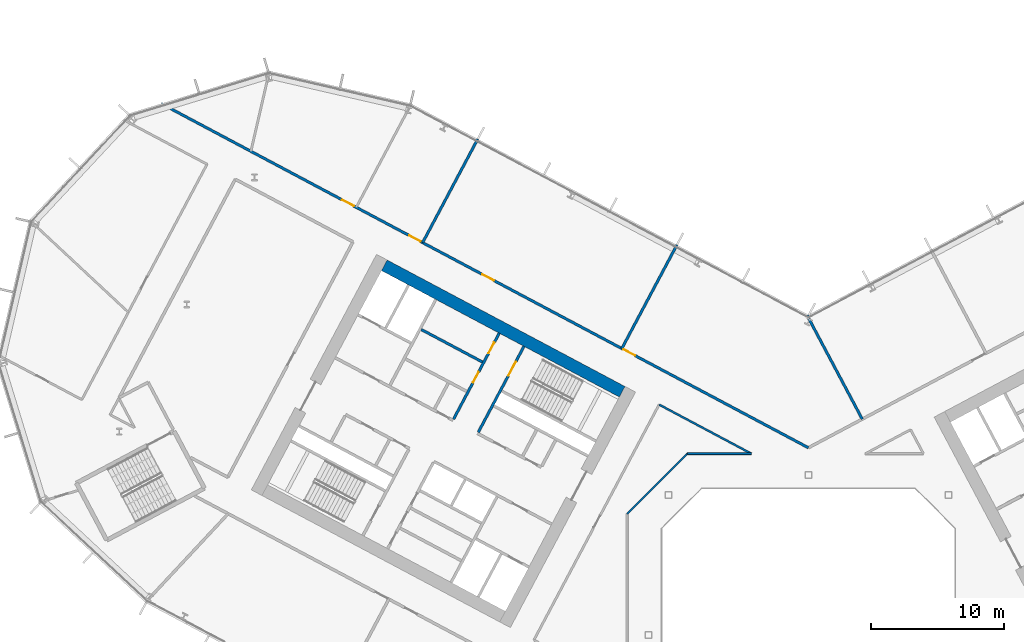
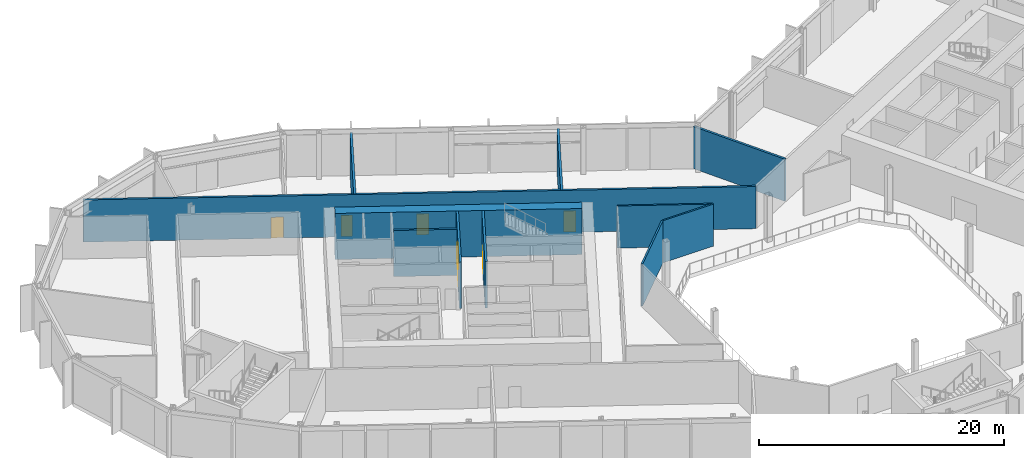
# One storey, part 16 of 32: 11 walls, 7 doors, 7 openings.
"""IFC4 building model written with IfcOpenShell, lengths in metres."""

from ifc_helpers import new_model, si_unit, direction, frame, frame_2d, origin, place, context, subcontext, project, spatial, rectangle, extrude, material, layer, layer_set, type_object, element, fill, save


model = new_model("IFC4")

# Units and contexts
model_context = context("Model", 3, precision=1e-05, world=origin(), true_north=direction((0.0, 1.0)))
body_context = subcontext(model_context, "Body", "Model", "MODEL_VIEW")
ifc_project = project(units=[si_unit("LENGTHUNIT", "METRE"), si_unit("AREAUNIT", "SQUARE_METRE"), si_unit("VOLUMEUNIT", "CUBIC_METRE"), si_unit("PLANEANGLEUNIT", "RADIAN"), si_unit("MASSUNIT", "GRAM", prefix="KILO")], contexts=[model_context])

# Site, building, storey
site_placement = place(None, origin())
site = spatial("IfcSite", under=ifc_project, at=site_placement, CompositionType="ELEMENT")
building_placement = place(site_placement, origin())
building = spatial("IfcBuilding", under=site, at=building_placement, Name="Cormorant Relay Tower", CompositionType="ELEMENT")
storey_placement = place(building_placement, frame((0.0, 0.0, 66.199951171875)))
storey = spatial("IfcBuildingStorey", under=building, at=storey_placement, Name="L12", CompositionType="ELEMENT", Elevation=66.199951171875)

# Wall
ifc_material_1 = material(Name="Concrete 40 MPa", Category="concrete")
ifc_layer_1 = layer(ifc_material_1, 0.199951171875)
ifc_layer_set_1 = layer_set([ifc_layer_1], Name="Core internal wall 200")
wall_type_1 = type_object("IfcWallType", Name="Core internal wall 200", PredefinedType="SOLIDWALL", material=ifc_layer_set_1)
wall_1_placement = place(storey_placement, frame((-24.449462890625, 20.474853515625, 0.0), z_axis=(0.0, 0.0, 1.0), x_axis=(-0.882934506056, 0.469496174655, 0.0)))
element("IfcWall", 1, at=wall_1_placement, inside=storey, type_object=wall_type_1, Name="L12 core A shaft and room wall", PredefinedType="SOLIDWALL", context=body_context, shape_type="SweptSolid", body=[
    extrude(rectangle(XDim=5.199951171875, YDim=0.199951171875, at=frame_2d((2.60009765625, 0.0))), origin(), (0.0, 0.0, 1.0), 4.60009765625),
])

# Wall, opening, door
ifc_material_2 = material(Name="Concrete 50 MPa", Category="concrete")
ifc_layer_2 = layer(ifc_material_2, 0.199951171875)
ifc_layer_set_2 = layer_set([ifc_layer_2], Name="Core shaft wall 200")
wall_type_2 = type_object("IfcWallType", Name="Core shaft wall 200", PredefinedType="SHEAR", material=ifc_layer_set_2)
wall_2_placement = place(storey_placement, frame((-21.333251953125, 21.6494140625, 0.0), z_axis=(0.0, 0.0, 1.0), x_axis=(-0.469494272526, -0.882935517501, 0.0)))
wall_2 = element("IfcWall", 2, at=wall_2_placement, inside=storey, type_object=wall_type_2, Name="L12 core A shaft wall", PredefinedType="SHEAR", context=body_context, shape_type="SweptSolid", body=[
    extrude(rectangle(XDim=7.2998046875, YDim=0.199951171875, at=frame_2d((3.64990234375, 0.0))), origin(), (0.0, 0.0, 1.0), 4.60009765625),
])
opening_1_placement = place(wall_2_placement, frame((1.300048828125, 0.0, 0.0)))
opening_1 = element("IfcOpeningElement", 3, at=opening_1_placement, cuts=wall_2, Name="Opening CDB-024", PredefinedType="OPENING", context=body_context, shape_type="SweptSolid", body=[
    extrude(rectangle(XDim=1.199951171875, YDim=2.10009765625, at=frame_2d((0.60009765625, 1.050048828125))), frame((0.0, 0.10986328125, 0.0), z_axis=(0.0, -1.0, 0.0), x_axis=(1.0, 0.0, 0.0)), (0.0, 0.0, 1.0), 0.219970703125),
])
ifc_material_3 = material(Name="Steel fire door", Category="steel")
door_type_1 = type_object("IfcDoorType", Name="Core stair door 1200x2100", OperationType="SINGLE_SWING_LEFT", PredefinedType="DOOR", material=ifc_material_3)
door_1_placement = place(opening_1_placement, origin())
door_1 = element("IfcDoor", 4, at=door_1_placement, inside=storey, type_object=door_type_1, Name="Core stair door 1200x2100", OperationType="SINGLE_SWING_RIGHT", OverallHeight=2.10009765625, OverallWidth=1.199951171875, PredefinedType="DOOR", context=body_context, shape_type="SweptSolid", body=[
    extrude(rectangle(XDim=1.199951171875, YDim=2.10009765625, at=frame_2d((0.60009765625, 1.050048828125))), frame((0.0, 0.02490234375, 0.0), z_axis=(0.0, -1.0, 0.0), x_axis=(1.0, 0.0, 0.0)), (0.0, 0.0, 1.0), 0.050048828125),
])
fill(opening_1, door_1)

# Wall, openings, doors
wall_3_placement = place(storey_placement, frame((-23.1875, 22.635498046875, 0.0), z_axis=(0.0, 0.0, 1.0), x_axis=(-0.469454336211, -0.882956752176, 0.0)))
wall_3 = element("IfcWall", 5, at=wall_3_placement, inside=storey, type_object=wall_type_2, Name="L12 core A shaft wall", PredefinedType="SHEAR", context=body_context, shape_type="SweptSolid", body=[
    extrude(rectangle(XDim=7.300048828125, YDim=0.199951171875, at=frame_2d((3.64990234375, 0.0))), origin(), (0.0, 0.0, 1.0), 4.60009765625),
])
opening_2_placement = place(wall_3_placement, frame((0.800048828125, 0.0, 0.0)))
opening_2 = element("IfcOpeningElement", 6, at=opening_2_placement, cuts=wall_3, Name="Opening CDD-117", PredefinedType="OPENING", context=body_context, shape_type="SweptSolid", body=[
    extrude(rectangle(XDim=0.89990234375, YDim=2.10009765625, at=frame_2d((0.449951171875, 1.050048828125))), frame((0.0, 0.10986328125, 0.0), z_axis=(0.0, -1.0, 0.0), x_axis=(1.0, 0.0, 0.0)), (0.0, 0.0, 1.0), 0.219970703125),
])
opening_3_placement = place(wall_3_placement, frame((3.300048828125, 0.0, 0.0)))
opening_3 = element("IfcOpeningElement", 7, at=opening_3_placement, cuts=wall_3, Name="Opening CDD-118", PredefinedType="OPENING", context=body_context, shape_type="SweptSolid", body=[
    extrude(rectangle(XDim=0.89990234375, YDim=2.10009765625, at=frame_2d((0.449951171875, 1.050048828125))), frame((0.0, 0.10986328125, 0.0), z_axis=(0.0, -1.0, 0.0), x_axis=(1.0, 0.0, 0.0)), (0.0, 0.0, 1.0), 0.219970703125),
])
ifc_material_4 = material(Name="Steel fire door", Category="steel")
door_type_2 = type_object("IfcDoorType", Name="Core room door 900x2100", OperationType="SINGLE_SWING_LEFT", PredefinedType="DOOR", material=ifc_material_4)
door_2_placement = place(opening_2_placement, origin())
door_2 = element("IfcDoor", 8, at=door_2_placement, inside=storey, type_object=door_type_2, Name="Core room door 900x2100", OperationType="SINGLE_SWING_LEFT", OverallHeight=2.10009765625, OverallWidth=0.89990234375, PredefinedType="DOOR", context=body_context, shape_type="SweptSolid", body=[
    extrude(rectangle(XDim=0.89990234375, YDim=2.10009765625, at=frame_2d((0.449951171875, 1.050048828125))), frame((0.0, 0.02490234375, 0.0), z_axis=(0.0, -1.0, 0.0), x_axis=(1.0, 0.0, 0.0)), (0.0, 0.0, 1.0), 0.050048828125),
])
fill(opening_2, door_2)
door_3_placement = place(opening_3_placement, origin())
door_3 = element("IfcDoor", 9, at=door_3_placement, inside=storey, type_object=door_type_2, Name="Core room door 900x2100", OperationType="SINGLE_SWING_LEFT", OverallHeight=2.10009765625, OverallWidth=0.89990234375, PredefinedType="DOOR", context=body_context, shape_type="SweptSolid", body=[
    extrude(rectangle(XDim=0.89990234375, YDim=2.10009765625, at=frame_2d((0.449951171875, 1.050048828125))), frame((0.0, 0.02490234375, 0.0), z_axis=(0.0, -1.0, 0.0), x_axis=(1.0, 0.0, 0.0)), (0.0, 0.0, 1.0), 0.050048828125),
])
fill(opening_3, door_3)

# Wall
ifc_material_5 = material(Name="Concrete 70 MPa", Category="concrete")
ifc_layer_3 = layer(ifc_material_5, 0.89990234375)
ifc_layer_set_3 = layer_set([ifc_layer_3], Name="Core wall 900")
wall_type_3 = type_object("IfcWallType", Name="Core wall 900", PredefinedType="SHEAR", material=ifc_layer_set_3)
wall_4_placement = place(storey_placement, frame((-13.97021484375, 18.244140625, 0.0), z_axis=(0.0, 0.0, 1.0), x_axis=(-0.88294509198, 0.469476266226, 0.0)))
element("IfcWall", 10, at=wall_4_placement, inside=storey, type_object=wall_type_3, Name="L12 core A wall", PredefinedType="SHEAR", context=body_context, shape_type="SweptSolid", body=[
    extrude(rectangle(XDim=20.199951171875, YDim=0.89990234375, at=frame_2d((10.10009765625, 0.0))), origin(), (0.0, 0.0, 1.0), 4.60009765625),
])

# Wall, openings, doors
ifc_material_6 = material(Name="Fire-rated gypsum board partition")
ifc_layer_4 = layer(ifc_material_6, 0.199951171875)
ifc_layer_set_4 = layer_set([ifc_layer_4], Name="Fire-rated gypsum partition 200")
wall_type_4 = type_object("IfcWallType", Name="Fire-rated gypsum partition 200", PredefinedType="PARTITIONING", material=ifc_layer_set_4)
wall_5_placement = place(storey_placement, frame((-48.541015625, 39.85400390625, 0.0), z_axis=(0.0, 0.0, 1.0), x_axis=(0.882945008423, -0.469476423372, 0.0)))
wall_5 = element("IfcWall", 11, at=wall_5_placement, inside=storey, type_object=wall_type_4, Name="wall/L12/part/8", PredefinedType="PARTITIONING", context=body_context, shape_type="SweptSolid", body=[
    extrude(rectangle(XDim=54.976318359375, YDim=0.199951171875, at=frame_2d((27.48828125, 0.0))), origin(), (0.0, 0.0, 1.0), 4.199951171875),
])
opening_4_placement = place(wall_5_placement, frame((39.264892578125, 0.0, 0.0)))
opening_4 = element("IfcOpeningElement", 12, at=opening_4_placement, cuts=wall_5, Name="Opening FD1-090", PredefinedType="OPENING", context=body_context, shape_type="SweptSolid", body=[
    extrude(rectangle(XDim=1.0, YDim=2.10009765625, at=frame_2d((0.5, 1.050048828125))), frame((0.0, 0.10986328125, 0.0), z_axis=(0.0, -1.0, 0.0), x_axis=(1.0, 0.0, 0.0)), (0.0, 0.0, 1.0), 0.219970703125),
])
opening_5_placement = place(wall_5_placement, frame((27.264892578125, 0.0, 0.0)))
opening_5 = element("IfcOpeningElement", 13, at=opening_5_placement, cuts=wall_5, Name="Opening FD1-091", PredefinedType="OPENING", context=body_context, shape_type="SweptSolid", body=[
    extrude(rectangle(XDim=1.0, YDim=2.10009765625, at=frame_2d((0.5, 1.050048828125))), frame((0.0, 0.10986328125, 0.0), z_axis=(0.0, -1.0, 0.0), x_axis=(1.0, 0.0, 0.0)), (0.0, 0.0, 1.0), 0.219970703125),
])
opening_6_placement = place(wall_5_placement, frame((21.06494140625, 0.0, 0.0)))
opening_6 = element("IfcOpeningElement", 14, at=opening_6_placement, cuts=wall_5, Name="Opening D2-011", PredefinedType="OPENING", context=body_context, shape_type="SweptSolid", body=[
    extrude(rectangle(XDim=0.949951171875, YDim=2.10009765625, at=frame_2d((0.47509765625, 1.050048828125))), frame((0.0, 0.10986328125, 0.0), z_axis=(0.0, -1.0, 0.0), x_axis=(1.0, 0.0, 0.0)), (0.0, 0.0, 1.0), 0.219970703125),
])
opening_7_placement = place(wall_5_placement, frame((15.364990234375, 0.0, 0.0)))
opening_7 = element("IfcOpeningElement", 15, at=opening_7_placement, cuts=wall_5, Name="Opening FD1-075", PredefinedType="OPENING", context=body_context, shape_type="SweptSolid", body=[
    extrude(rectangle(XDim=1.0, YDim=2.10009765625, at=frame_2d((0.5, 1.050048828125))), frame((0.0, 0.10986328125, 0.0), z_axis=(0.0, -1.0, 0.0), x_axis=(1.0, 0.0, 0.0)), (0.0, 0.0, 1.0), 0.219970703125),
])
ifc_material_7 = material(Name="Fire-rated steel door", Category="steel")
door_type_3 = type_object("IfcDoorType", Name="Fire door 1000 x 2100", OperationType="SINGLE_SWING_LEFT", PredefinedType="DOOR", material=ifc_material_7)
door_4_placement = place(opening_4_placement, origin())
door_4 = element("IfcDoor", 16, at=door_4_placement, inside=storey, type_object=door_type_3, Name="door/L12/8", OperationType="SINGLE_SWING_LEFT", OverallHeight=2.10009765625, OverallWidth=1.0, PredefinedType="DOOR", context=body_context, shape_type="SweptSolid", body=[
    extrude(rectangle(XDim=1.0, YDim=2.10009765625, at=frame_2d((0.5, 1.050048828125))), frame((0.0, 0.02490234375, 0.0), z_axis=(0.0, -1.0, 0.0), x_axis=(1.0, 0.0, 0.0)), (0.0, 0.0, 1.0), 0.050048828125),
])
fill(opening_4, door_4)
door_5_placement = place(opening_5_placement, origin())
door_5 = element("IfcDoor", 17, at=door_5_placement, inside=storey, type_object=door_type_3, Name="door/L12/9", OperationType="SINGLE_SWING_RIGHT", OverallHeight=2.10009765625, OverallWidth=1.0, PredefinedType="DOOR", context=body_context, shape_type="SweptSolid", body=[
    extrude(rectangle(XDim=1.0, YDim=2.10009765625, at=frame_2d((0.5, 1.050048828125))), frame((0.0, 0.02490234375, 0.0), z_axis=(0.0, -1.0, 0.0), x_axis=(1.0, 0.0, 0.0)), (0.0, 0.0, 1.0), 0.050048828125),
])
fill(opening_5, door_5)
door_6_placement = place(opening_7_placement, origin())
door_6 = element("IfcDoor", 18, at=door_6_placement, inside=storey, type_object=door_type_3, Name="door/L12/11", OperationType="SINGLE_SWING_RIGHT", OverallHeight=2.10009765625, OverallWidth=1.0, PredefinedType="DOOR", context=body_context, shape_type="SweptSolid", body=[
    extrude(rectangle(XDim=1.0, YDim=2.10009765625, at=frame_2d((0.5, 1.050048828125))), frame((0.0, 0.02490234375, 0.0), z_axis=(0.0, -1.0, 0.0), x_axis=(1.0, 0.0, 0.0)), (0.0, 0.0, 1.0), 0.050048828125),
])
fill(opening_7, door_6)
ifc_material_8 = material(Name="Timber door", Category="wood")
door_type_4 = type_object("IfcDoorType", Name="Toilet door 950 x 2100", OperationType="SINGLE_SWING_LEFT", PredefinedType="DOOR", material=ifc_material_8)
door_7_placement = place(opening_6_placement, origin())
door_7 = element("IfcDoor", 19, at=door_7_placement, inside=storey, type_object=door_type_4, Name="door/L12/10", OperationType="SINGLE_SWING_RIGHT", OverallHeight=2.10009765625, OverallWidth=0.949951171875, PredefinedType="DOOR", context=body_context, shape_type="SweptSolid", body=[
    extrude(rectangle(XDim=0.949951171875, YDim=2.10009765625, at=frame_2d((0.47509765625, 1.050048828125))), frame((0.0, 0.02490234375, 0.0), z_axis=(0.0, -1.0, 0.0), x_axis=(1.0, 0.0, 0.0)), (0.0, 0.0, 1.0), 0.050048828125),
])
fill(opening_6, door_7)

# Walls
wall_6_placement = place(storey_placement, frame((-24.800048828125, 37.197021484375, 0.0), z_axis=(0.0, 0.0, 1.0), x_axis=(-0.469510830369, -0.882926712794, 0.0)))
element("IfcWall", 20, at=wall_6_placement, inside=storey, type_object=wall_type_4, Name="wall/L12/part/21", PredefinedType="PARTITIONING", context=body_context, shape_type="SweptSolid", body=[
    extrude(rectangle(XDim=8.80029296875, YDim=0.199951171875, at=frame_2d((4.400146484375, 0.0))), origin(), (0.0, 0.0, 1.0), 4.199951171875),
])
wall_7_placement = place(storey_placement, frame((-9.864013671875, 29.2548828125, 0.0), z_axis=(0.0, 0.0, 1.0), x_axis=(-0.469457446168, -0.882955098653, 0.0)))
element("IfcWall", 21, at=wall_7_placement, inside=storey, type_object=wall_type_4, Name="wall/L12/part/22", PredefinedType="PARTITIONING", context=body_context, shape_type="SweptSolid", body=[
    extrude(rectangle(XDim=8.7998046875, YDim=0.199951171875, at=frame_2d((4.39990234375, 0.0))), origin(), (0.0, 0.0, 1.0), 4.199951171875),
])
wall_8_placement = place(storey_placement, frame((-0.10498046875, 23.98388671875, 0.0), z_axis=(0.0, 0.0, 1.0), x_axis=(0.469424872141, -0.882972417132, 0.0)))
element("IfcWall", 22, at=wall_8_placement, inside=storey, type_object=wall_type_4, Name="wall/L12/part/24", PredefinedType="PARTITIONING", context=body_context, shape_type="SweptSolid", body=[
    extrude(rectangle(XDim=8.825927734375, YDim=0.199951171875, at=frame_2d((4.4130859375, 0.0))), origin(), (0.0, 0.0, 1.0), 4.199951171875),
])
ifc_material_9 = material(Name="Gypsum board partition")
ifc_layer_5 = layer(ifc_material_9, 0.14990234375)
ifc_layer_set_5 = layer_set([ifc_layer_5], Name="Gypsum board partition 150")
wall_type_5 = type_object("IfcWallType", Name="Gypsum board partition 150", PredefinedType="PARTITIONING", material=ifc_layer_set_5)
wall_9_placement = place(storey_placement, frame((-11.197998046875, 17.280029296875, 0.0), z_axis=(0.0, 0.0, 1.0), x_axis=(0.882946288452, -0.46947401601, 0.0)))
element("IfcWall", 23, at=wall_9_placement, inside=storey, type_object=wall_type_5, Name="wall/L12/part/56", PredefinedType="PARTITIONING", context=body_context, shape_type="SweptSolid", body=[
    extrude(rectangle(XDim=7.83837890625, YDim=0.14990234375, at=frame_2d((3.919189453125, 0.0))), origin(), (0.0, 0.0, 1.0), 4.199951171875),
])
wall_10_placement = place(storey_placement, frame((-4.277099609375, 13.60009765625, 0.0), z_axis=(0.0, 0.0, 1.0), x_axis=(-1.0, 0.0, 0.0)))
element("IfcWall", 24, at=wall_10_placement, inside=storey, type_object=wall_type_5, Name="wall/L12/part/57", PredefinedType="PARTITIONING", context=body_context, shape_type="SweptSolid", body=[
    extrude(rectangle(XDim=4.7998046875, YDim=0.14990234375, at=frame_2d((2.39990234375, 0.0))), origin(), (0.0, 0.0, 1.0), 4.199951171875),
])
wall_11_placement = place(storey_placement, frame((-9.076904296875, 13.60009765625, 0.0), z_axis=(0.0, 0.0, 1.0), x_axis=(-0.707106781187, -0.707106781187, 0.0)))
element("IfcWall", 25, at=wall_11_placement, inside=storey, type_object=wall_type_5, Name="wall/L12/part/58", PredefinedType="PARTITIONING", context=body_context, shape_type="SweptSolid", body=[
    extrude(rectangle(XDim=6.396728515625, YDim=0.14990234375, at=frame_2d((3.1982421875, 0.0))), origin(), (0.0, 0.0, 1.0), 4.199951171875),
])

save(model, "model.ifc")
